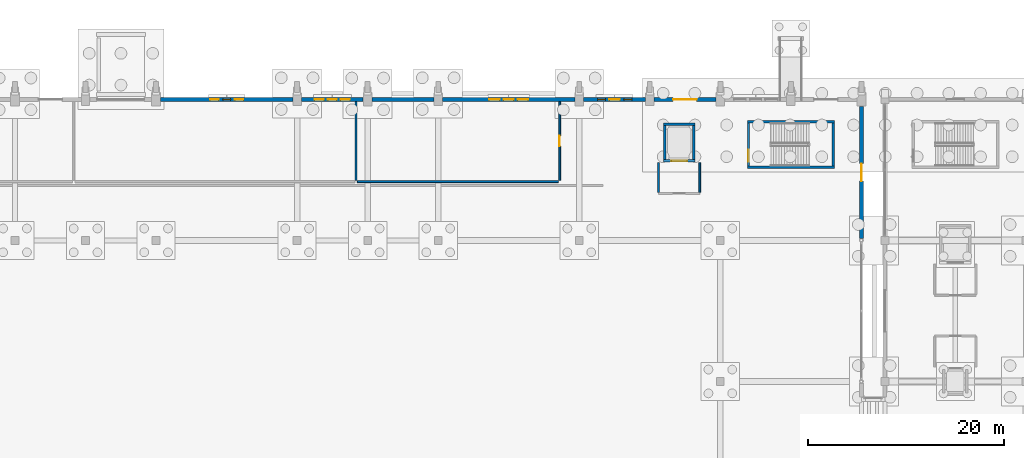
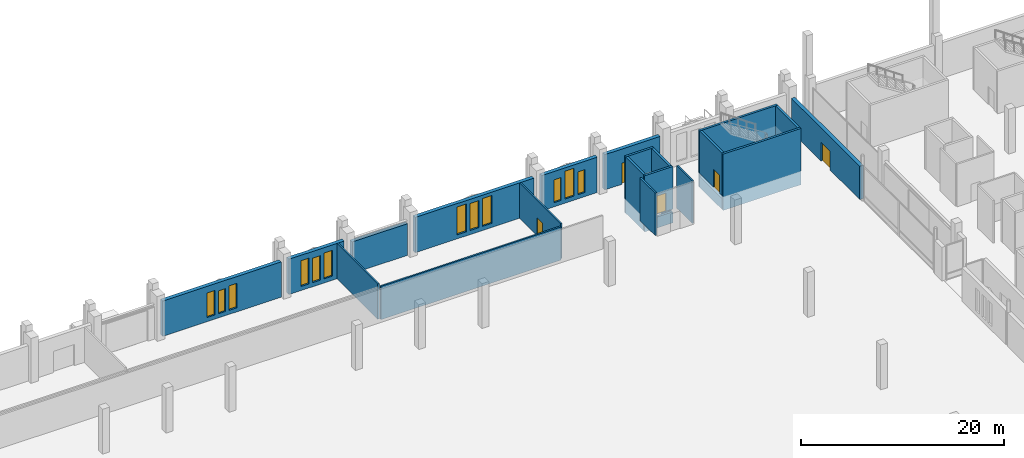
# One storey, part 151 of 192: 22 walls, 12 windows, 5 doors, 17 openings.
"""IFC4 building model written with IfcOpenShell, lengths in metres."""

from ifc_helpers import new_model, si_unit, direction, frame, frame_2d, origin, place, context, subcontext, project, spatial, rectangle, extrude, material, layer, layer_set, type_object, element, fill, save


model = new_model("IFC4")

# Units and contexts
model_context = context("Model", 3, precision=1e-05, world=origin(), true_north=direction((0.0, 1.0)))
body_context = subcontext(model_context, "Body", "Model", "MODEL_VIEW")
ifc_project = project(units=[si_unit("LENGTHUNIT", "METRE"), si_unit("AREAUNIT", "SQUARE_METRE"), si_unit("VOLUMEUNIT", "CUBIC_METRE"), si_unit("PLANEANGLEUNIT", "RADIAN"), si_unit("MASSUNIT", "GRAM", prefix="KILO")], contexts=[model_context])

# Site, building, storey
site_placement = place(None, origin())
site = spatial("IfcSite", under=ifc_project, at=site_placement, CompositionType="ELEMENT")
building_placement = place(site_placement, origin())
building = spatial("IfcBuilding", under=site, at=building_placement, Name="Cendralis Lancet Convention Centre", CompositionType="ELEMENT")
storey_placement = place(building_placement, origin())
storey = spatial("IfcBuildingStorey", under=building, at=storey_placement, Name="L00", CompositionType="ELEMENT", Elevation=0.0)

# Wall, openings, windows
ifc_material_1 = material(Name="Buff sandstone ashlar and Concrete G40 (C40/50)", Category="masonry")
ifc_layer_1 = layer(ifc_material_1, 0.419921875, Name="Buff sandstone ashlar and Concrete G40 (C40/50)")
ifc_layer_set_1 = layer_set([ifc_layer_1], Name="Buff sandstone ashlar and Concrete G40 (C40/50)")
wall_type_1 = type_object("IfcWallType", Name="ARC-EW-W420", PredefinedType="STANDARD", material=ifc_layer_set_1)
wall_1_placement = place(storey_placement, frame((50.85791015625, 136.800048828125, 0.0), z_axis=(0.0, 0.0, 1.0), x_axis=(1.0, 0.0, 0.0)))
wall_1 = element("IfcWall", 1, at=wall_1_placement, inside=storey, type_object=wall_type_1, Name="L00 V1 Exterior Wall EW-01 #0007", PredefinedType="STANDARD", context=body_context, shape_type="SweptSolid", body=[
    extrude(rectangle(XDim=13.509033203125, YDim=0.419921875, at=frame_2d((6.75439453125, 0.0))), origin(), (0.0, 0.0, 1.0), 4.2548828125),
])
opening_1_placement = place(wall_1_placement, frame((5.054443359375, 0.0, 0.5)))
opening_1 = element("IfcOpeningElement", 2, at=opening_1_placement, cuts=wall_1, Name="Opening WN-08", PredefinedType="OPENING", context=body_context, shape_type="SweptSolid", body=[
    extrude(rectangle(XDim=0.8798828125, YDim=2.949951171875, at=frame_2d((0.43994140625, 1.47509765625))), frame((0.0, 0.219970703125, 0.0), z_axis=(0.0, -1.0, 0.0), x_axis=(1.0, 0.0, 0.0)), (0.0, 0.0, 1.0), 0.43994140625),
])
opening_2_placement = place(wall_1_placement, frame((6.3544921875, 0.0, 0.5)))
opening_2 = element("IfcOpeningElement", 3, at=opening_2_placement, cuts=wall_1, Name="Opening WN-07", PredefinedType="OPENING", context=body_context, shape_type="SweptSolid", body=[
    extrude(rectangle(XDim=0.800048828125, YDim=2.75, at=frame_2d((0.39990234375, 1.375))), frame((0.0, 0.219970703125, 0.0), z_axis=(0.0, -1.0, 0.0), x_axis=(1.0, 0.0, 0.0)), (0.0, 0.0, 1.0), 0.43994140625),
])
opening_3_placement = place(wall_1_placement, frame((7.574462890625, 0.0, 0.5)))
opening_3 = element("IfcOpeningElement", 4, at=opening_3_placement, cuts=wall_1, Name="Opening WN-08", PredefinedType="OPENING", context=body_context, shape_type="SweptSolid", body=[
    extrude(rectangle(XDim=0.8798828125, YDim=2.949951171875, at=frame_2d((0.43994140625, 1.47509765625))), frame((0.0, 0.219970703125, 0.0), z_axis=(0.0, -1.0, 0.0), x_axis=(1.0, 0.0, 0.0)), (0.0, 0.0, 1.0), 0.43994140625),
])
ifc_material_2 = material(Name="Double-glazed low-E solar-control glass", Category="glass")
window_type_1 = type_object("IfcWindowType", Name="ARC-WN-LW07", PartitioningType="SINGLE_PANEL", PredefinedType="WINDOW", material=ifc_material_2)
window_1_placement = place(opening_2_placement, origin())
window_1 = element("IfcWindow", 5, at=window_1_placement, inside=storey, type_object=window_type_1, Name="Gothic Lancet Window WN-07 #0005", OverallHeight=2.75, OverallWidth=0.800048828125, PartitioningType="SINGLE_PANEL", PredefinedType="WINDOW", context=body_context, shape_type="SweptSolid", body=[
    extrude(rectangle(XDim=0.800048828125, YDim=2.75, at=frame_2d((0.39990234375, 1.375))), frame((0.0, 0.030029296875, 0.0), z_axis=(0.0, -1.0, 0.0), x_axis=(1.0, 0.0, 0.0)), (0.0, 0.0, 1.0), 0.06005859375),
])
fill(opening_2, window_1)
window_type_2 = type_object("IfcWindowType", Name="ARC-WN-LW08", PartitioningType="SINGLE_PANEL", PredefinedType="WINDOW", material=ifc_material_2)
window_2_placement = place(opening_1_placement, origin())
window_2 = element("IfcWindow", 6, at=window_2_placement, inside=storey, type_object=window_type_2, Name="Gothic Lancet Window WN-08 #0004", OverallHeight=2.949951171875, OverallWidth=0.8798828125, PartitioningType="SINGLE_PANEL", PredefinedType="WINDOW", context=body_context, shape_type="SweptSolid", body=[
    extrude(rectangle(XDim=0.8798828125, YDim=2.949951171875, at=frame_2d((0.43994140625, 1.47509765625))), frame((0.0, 0.030029296875, 0.0), z_axis=(0.0, -1.0, 0.0), x_axis=(1.0, 0.0, 0.0)), (0.0, 0.0, 1.0), 0.06005859375),
])
fill(opening_1, window_2)
window_3_placement = place(opening_3_placement, origin())
window_3 = element("IfcWindow", 7, at=window_3_placement, inside=storey, type_object=window_type_2, Name="Gothic Lancet Window WN-08 #0006", OverallHeight=2.949951171875, OverallWidth=0.8798828125, PartitioningType="SINGLE_PANEL", PredefinedType="WINDOW", context=body_context, shape_type="SweptSolid", body=[
    extrude(rectangle(XDim=0.8798828125, YDim=2.949951171875, at=frame_2d((0.43994140625, 1.47509765625))), frame((0.0, 0.030029296875, 0.0), z_axis=(0.0, -1.0, 0.0), x_axis=(1.0, 0.0, 0.0)), (0.0, 0.0, 1.0), 0.06005859375),
])
fill(opening_3, window_3)

wall_2_placement = place(storey_placement, frame((65.23291015625, 136.800048828125, 0.0), z_axis=(0.0, 0.0, 1.0), x_axis=(1.0, 0.0, 0.0)))
wall_2 = element("IfcWall", 8, at=wall_2_placement, inside=storey, type_object=wall_type_1, Name="L00 V1 Exterior Wall EW-01 #0008", PredefinedType="STANDARD", context=body_context, shape_type="SweptSolid", body=[
    extrude(rectangle(XDim=6.30908203125, YDim=0.419921875, at=frame_2d((3.154541015625, 0.0))), origin(), (0.0, 0.0, 1.0), 4.2548828125),
])
opening_4_placement = place(wall_2_placement, frame((1.3544921875, 0.0, 0.5)))
opening_4 = element("IfcOpeningElement", 9, at=opening_4_placement, cuts=wall_2, Name="Opening WN-09", PredefinedType="OPENING", context=body_context, shape_type="SweptSolid", body=[
    extrude(rectangle(XDim=0.93994140625, YDim=3.10009765625, at=frame_2d((0.469970703125, 1.550048828125))), frame((0.0, 0.219970703125, 0.0), z_axis=(0.0, -1.0, 0.0), x_axis=(1.0, 0.0, 0.0)), (0.0, 0.0, 1.0), 0.43994140625),
])
opening_5_placement = place(wall_2_placement, frame((2.714599609375, 0.0, 0.5)))
opening_5 = element("IfcOpeningElement", 10, at=opening_5_placement, cuts=wall_2, Name="Opening WN-08", PredefinedType="OPENING", context=body_context, shape_type="SweptSolid", body=[
    extrude(rectangle(XDim=0.8798828125, YDim=2.949951171875, at=frame_2d((0.43994140625, 1.47509765625))), frame((0.0, 0.219970703125, 0.0), z_axis=(0.0, -1.0, 0.0), x_axis=(1.0, 0.0, 0.0)), (0.0, 0.0, 1.0), 0.43994140625),
])
opening_6_placement = place(wall_2_placement, frame((4.014404296875, 0.0, 0.5)))
opening_6 = element("IfcOpeningElement", 11, at=opening_6_placement, cuts=wall_2, Name="Opening WN-09", PredefinedType="OPENING", context=body_context, shape_type="SweptSolid", body=[
    extrude(rectangle(XDim=0.93994140625, YDim=3.10009765625, at=frame_2d((0.469970703125, 1.550048828125))), frame((0.0, 0.219970703125, 0.0), z_axis=(0.0, -1.0, 0.0), x_axis=(1.0, 0.0, 0.0)), (0.0, 0.0, 1.0), 0.43994140625),
])
window_4_placement = place(opening_5_placement, origin())
window_4 = element("IfcWindow", 12, at=window_4_placement, inside=storey, type_object=window_type_2, Name="Gothic Lancet Window WN-08 #0008", OverallHeight=2.949951171875, OverallWidth=0.8798828125, PartitioningType="SINGLE_PANEL", PredefinedType="WINDOW", context=body_context, shape_type="SweptSolid", body=[
    extrude(rectangle(XDim=0.8798828125, YDim=2.949951171875, at=frame_2d((0.43994140625, 1.47509765625))), frame((0.0, 0.030029296875, 0.0), z_axis=(0.0, -1.0, 0.0), x_axis=(1.0, 0.0, 0.0)), (0.0, 0.0, 1.0), 0.06005859375),
])
fill(opening_5, window_4)
window_type_3 = type_object("IfcWindowType", Name="ARC-WN-LW09", PartitioningType="SINGLE_PANEL", PredefinedType="WINDOW", material=ifc_material_2)
window_5_placement = place(opening_4_placement, origin())
window_5 = element("IfcWindow", 13, at=window_5_placement, inside=storey, type_object=window_type_3, Name="Gothic Lancet Window WN-09 #0007", OverallHeight=3.10009765625, OverallWidth=0.93994140625, PartitioningType="SINGLE_PANEL", PredefinedType="WINDOW", context=body_context, shape_type="SweptSolid", body=[
    extrude(rectangle(XDim=0.93994140625, YDim=3.10009765625, at=frame_2d((0.469970703125, 1.550048828125))), frame((0.0, 0.030029296875, 0.0), z_axis=(0.0, -1.0, 0.0), x_axis=(1.0, 0.0, 0.0)), (0.0, 0.0, 1.0), 0.06005859375),
])
fill(opening_4, window_5)
window_6_placement = place(opening_6_placement, origin())
window_6 = element("IfcWindow", 14, at=window_6_placement, inside=storey, type_object=window_type_3, Name="Gothic Lancet Window WN-09 #0009", OverallHeight=3.10009765625, OverallWidth=0.93994140625, PartitioningType="SINGLE_PANEL", PredefinedType="WINDOW", context=body_context, shape_type="SweptSolid", body=[
    extrude(rectangle(XDim=0.93994140625, YDim=3.10009765625, at=frame_2d((0.469970703125, 1.550048828125))), frame((0.0, 0.030029296875, 0.0), z_axis=(0.0, -1.0, 0.0), x_axis=(1.0, 0.0, 0.0)), (0.0, 0.0, 1.0), 0.06005859375),
])
fill(opening_6, window_6)

# Wall
wall_3_placement = place(storey_placement, frame((72.4580078125, 136.800048828125, 0.0), z_axis=(0.0, 0.0, 1.0), x_axis=(1.0, 0.0, 0.0)))
element("IfcWall", 15, at=wall_3_placement, inside=storey, type_object=wall_type_1, Name="L00 V1 Exterior Wall EW-01 #0009", PredefinedType="STANDARD", context=body_context, shape_type="SweptSolid", body=[
    extrude(rectangle(XDim=6.30908203125, YDim=0.419921875, at=frame_2d((3.154541015625, 0.0))), origin(), (0.0, 0.0, 1.0), 3.81494140625),
])

# Wall, openings, windows
wall_4_placement = place(storey_placement, frame((79.633056640625, 136.800048828125, 0.0), z_axis=(0.0, 0.0, 1.0), x_axis=(1.0, 0.0, 0.0)))
wall_4 = element("IfcWall", 16, at=wall_4_placement, inside=storey, type_object=wall_type_1, Name="L00 V1 Exterior Wall EW-01 #0010", PredefinedType="STANDARD", context=body_context, shape_type="SweptSolid", body=[
    extrude(rectangle(XDim=13.509033203125, YDim=0.419921875, at=frame_2d((6.75439453125, 0.0))), origin(), (0.0, 0.0, 1.0), 4.2548828125),
])
opening_7_placement = place(wall_4_placement, frame((4.7744140625, 0.0, 0.5)))
opening_7 = element("IfcOpeningElement", 17, at=opening_7_placement, cuts=wall_4, Name="Opening WN-11", PredefinedType="OPENING", context=body_context, shape_type="SweptSolid", body=[
    extrude(rectangle(XDim=1.06005859375, YDim=3.35009765625, at=frame_2d((0.530029296875, 1.675048828125))), frame((0.0, 0.219970703125, 0.0), z_axis=(0.0, -1.0, 0.0), x_axis=(1.0, 0.0, 0.0)), (0.0, 0.0, 1.0), 0.43994140625),
])
opening_8_placement = place(wall_4_placement, frame((6.25439453125, 0.0, 0.5)))
opening_8 = element("IfcOpeningElement", 18, at=opening_8_placement, cuts=wall_4, Name="Opening WN-10", PredefinedType="OPENING", context=body_context, shape_type="SweptSolid", body=[
    extrude(rectangle(XDim=1.0, YDim=3.25, at=frame_2d((0.5, 1.625))), frame((0.0, 0.219970703125, 0.0), z_axis=(0.0, -1.0, 0.0), x_axis=(1.0, 0.0, 0.0)), (0.0, 0.0, 1.0), 0.43994140625),
])
opening_9_placement = place(wall_4_placement, frame((7.674560546875, 0.0, 0.5)))
opening_9 = element("IfcOpeningElement", 19, at=opening_9_placement, cuts=wall_4, Name="Opening WN-11", PredefinedType="OPENING", context=body_context, shape_type="SweptSolid", body=[
    extrude(rectangle(XDim=1.06005859375, YDim=3.35009765625, at=frame_2d((0.530029296875, 1.675048828125))), frame((0.0, 0.219970703125, 0.0), z_axis=(0.0, -1.0, 0.0), x_axis=(1.0, 0.0, 0.0)), (0.0, 0.0, 1.0), 0.43994140625),
])
window_type_4 = type_object("IfcWindowType", Name="ARC-WN-LW10", PartitioningType="SINGLE_PANEL", PredefinedType="WINDOW", material=ifc_material_2)
window_7_placement = place(opening_8_placement, origin())
window_7 = element("IfcWindow", 20, at=window_7_placement, inside=storey, type_object=window_type_4, Name="Gothic Lancet Window WN-10 #0011", OverallHeight=3.25, OverallWidth=1.0, PartitioningType="SINGLE_PANEL", PredefinedType="WINDOW", context=body_context, shape_type="SweptSolid", body=[
    extrude(rectangle(XDim=1.0, YDim=3.25, at=frame_2d((0.5, 1.625))), frame((0.0, 0.030029296875, 0.0), z_axis=(0.0, -1.0, 0.0), x_axis=(1.0, 0.0, 0.0)), (0.0, 0.0, 1.0), 0.06005859375),
])
fill(opening_8, window_7)
window_type_5 = type_object("IfcWindowType", Name="ARC-WN-LW11", PartitioningType="SINGLE_PANEL", PredefinedType="WINDOW", material=ifc_material_2)
window_8_placement = place(opening_7_placement, origin())
window_8 = element("IfcWindow", 21, at=window_8_placement, inside=storey, type_object=window_type_5, Name="Gothic Lancet Window WN-11 #0010", OverallHeight=3.35009765625, OverallWidth=1.06005859375, PartitioningType="SINGLE_PANEL", PredefinedType="WINDOW", context=body_context, shape_type="SweptSolid", body=[
    extrude(rectangle(XDim=1.06005859375, YDim=3.35009765625, at=frame_2d((0.530029296875, 1.675048828125))), frame((0.0, 0.030029296875, 0.0), z_axis=(0.0, -1.0, 0.0), x_axis=(1.0, 0.0, 0.0)), (0.0, 0.0, 1.0), 0.06005859375),
])
fill(opening_7, window_8)
window_9_placement = place(opening_9_placement, origin())
window_9 = element("IfcWindow", 22, at=window_9_placement, inside=storey, type_object=window_type_5, Name="Gothic Lancet Window WN-11 #0012", OverallHeight=3.35009765625, OverallWidth=1.06005859375, PartitioningType="SINGLE_PANEL", PredefinedType="WINDOW", context=body_context, shape_type="SweptSolid", body=[
    extrude(rectangle(XDim=1.06005859375, YDim=3.35009765625, at=frame_2d((0.530029296875, 1.675048828125))), frame((0.0, 0.030029296875, 0.0), z_axis=(0.0, -1.0, 0.0), x_axis=(1.0, 0.0, 0.0)), (0.0, 0.0, 1.0), 0.06005859375),
])
fill(opening_9, window_9)

wall_5_placement = place(storey_placement, frame((94.05810546875, 136.800048828125, 0.0), z_axis=(0.0, 0.0, 1.0), x_axis=(1.0, 0.0, 0.0)))
wall_5 = element("IfcWall", 23, at=wall_5_placement, inside=storey, type_object=wall_type_1, Name="L00 V1 Exterior Wall EW-01 #0011", PredefinedType="STANDARD", context=body_context, shape_type="SweptSolid", body=[
    extrude(rectangle(XDim=6.308837890625, YDim=0.419921875, at=frame_2d((3.154296875, 0.0))), origin(), (0.0, 0.0, 1.0), 4.2548828125),
])
opening_10_placement = place(wall_5_placement, frame((1.404541015625, 0.0, 0.5)))
opening_10 = element("IfcOpeningElement", 24, at=opening_10_placement, cuts=wall_5, Name="Opening WN-07", PredefinedType="OPENING", context=body_context, shape_type="SweptSolid", body=[
    extrude(rectangle(XDim=0.800048828125, YDim=2.75, at=frame_2d((0.39990234375, 1.375))), frame((0.0, 0.219970703125, 0.0), z_axis=(0.0, -1.0, 0.0), x_axis=(1.0, 0.0, 0.0)), (0.0, 0.0, 1.0), 0.43994140625),
])
opening_11_placement = place(wall_5_placement, frame((2.62451171875, 0.0, 0.5)))
opening_11 = element("IfcOpeningElement", 25, at=opening_11_placement, cuts=wall_5, Name="Opening WN-11", PredefinedType="OPENING", context=body_context, shape_type="SweptSolid", body=[
    extrude(rectangle(XDim=1.06005859375, YDim=3.35009765625, at=frame_2d((0.530029296875, 1.675048828125))), frame((0.0, 0.219970703125, 0.0), z_axis=(0.0, -1.0, 0.0), x_axis=(1.0, 0.0, 0.0)), (0.0, 0.0, 1.0), 0.43994140625),
])
opening_12_placement = place(wall_5_placement, frame((4.1044921875, 0.0, 0.5)))
opening_12 = element("IfcOpeningElement", 26, at=opening_12_placement, cuts=wall_5, Name="Opening WN-07", PredefinedType="OPENING", context=body_context, shape_type="SweptSolid", body=[
    extrude(rectangle(XDim=0.800048828125, YDim=2.75, at=frame_2d((0.39990234375, 1.375))), frame((0.0, 0.219970703125, 0.0), z_axis=(0.0, -1.0, 0.0), x_axis=(1.0, 0.0, 0.0)), (0.0, 0.0, 1.0), 0.43994140625),
])
window_10_placement = place(opening_10_placement, origin())
window_10 = element("IfcWindow", 27, at=window_10_placement, inside=storey, type_object=window_type_1, Name="Gothic Lancet Window WN-07 #0013", OverallHeight=2.75, OverallWidth=0.800048828125, PartitioningType="SINGLE_PANEL", PredefinedType="WINDOW", context=body_context, shape_type="SweptSolid", body=[
    extrude(rectangle(XDim=0.800048828125, YDim=2.75, at=frame_2d((0.39990234375, 1.375))), frame((0.0, 0.030029296875, 0.0), z_axis=(0.0, -1.0, 0.0), x_axis=(1.0, 0.0, 0.0)), (0.0, 0.0, 1.0), 0.06005859375),
])
fill(opening_10, window_10)
window_11_placement = place(opening_12_placement, origin())
window_11 = element("IfcWindow", 28, at=window_11_placement, inside=storey, type_object=window_type_1, Name="Gothic Lancet Window WN-07 #0015", OverallHeight=2.75, OverallWidth=0.800048828125, PartitioningType="SINGLE_PANEL", PredefinedType="WINDOW", context=body_context, shape_type="SweptSolid", body=[
    extrude(rectangle(XDim=0.800048828125, YDim=2.75, at=frame_2d((0.39990234375, 1.375))), frame((0.0, 0.030029296875, 0.0), z_axis=(0.0, -1.0, 0.0), x_axis=(1.0, 0.0, 0.0)), (0.0, 0.0, 1.0), 0.06005859375),
])
fill(opening_12, window_11)
window_12_placement = place(opening_11_placement, origin())
window_12 = element("IfcWindow", 29, at=window_12_placement, inside=storey, type_object=window_type_5, Name="Gothic Lancet Window WN-11 #0014", OverallHeight=3.35009765625, OverallWidth=1.06005859375, PartitioningType="SINGLE_PANEL", PredefinedType="WINDOW", context=body_context, shape_type="SweptSolid", body=[
    extrude(rectangle(XDim=1.06005859375, YDim=3.35009765625, at=frame_2d((0.530029296875, 1.675048828125))), frame((0.0, 0.030029296875, 0.0), z_axis=(0.0, -1.0, 0.0), x_axis=(1.0, 0.0, 0.0)), (0.0, 0.0, 1.0), 0.06005859375),
])
fill(opening_11, window_12)

# Wall, opening, door
wall_6_placement = place(storey_placement, frame((101.23291015625, 136.800048828125, 0.0), z_axis=(0.0, 0.0, 1.0), x_axis=(1.0, 0.0, 0.0)))
wall_6 = element("IfcWall", 30, at=wall_6_placement, inside=storey, type_object=wall_type_1, Name="L00 V1 Exterior Wall EW-01 #0012", PredefinedType="STANDARD", context=body_context, shape_type="SweptSolid", body=[
    extrude(rectangle(XDim=6.30908203125, YDim=0.419921875, at=frame_2d((3.154541015625, 0.0))), origin(), (0.0, 0.0, 1.0), 4.2548828125),
])
opening_13_placement = place(wall_6_placement, frame((1.95458984375, 0.0, 0.0)))
opening_13 = element("IfcOpeningElement", 31, at=opening_13_placement, cuts=wall_6, Name="Opening EX-D3", PredefinedType="OPENING", context=body_context, shape_type="SweptSolid", body=[
    extrude(rectangle(XDim=2.39990234375, YDim=2.550048828125, at=frame_2d((1.199951171875, 1.27490234375))), frame((0.0, 0.219970703125, 0.0), z_axis=(0.0, -1.0, 0.0), x_axis=(1.0, 0.0, 0.0)), (0.0, 0.0, 1.0), 0.43994140625),
])
ifc_material_3 = material(Name="Anodised bronze architectural aluminium", Category="aluminium")
door_type_1 = type_object("IfcDoorType", Name="ARC-DR-EX24", OperationType="NOTDEFINED", PredefinedType="DOOR", material=ifc_material_3)
door_1_placement = place(opening_13_placement, origin())
door_1 = element("IfcDoor", 32, at=door_1_placement, inside=storey, type_object=door_type_1, Name="L00-D012 Pedestrian Final Exit Door EX-12 #012", OperationType="DOUBLE_DOOR_SINGLE_SWING", OverallHeight=2.550048828125, OverallWidth=2.39990234375, PredefinedType="DOOR", context=body_context, shape_type="SweptSolid", body=[
    extrude(rectangle(XDim=2.39990234375, YDim=2.550048828125, at=frame_2d((1.199951171875, 1.27490234375))), frame((0.0, 0.02490234375, 0.0), z_axis=(0.0, -1.0, 0.0), x_axis=(1.0, 0.0, 0.0)), (0.0, 0.0, 1.0), 0.050048828125),
])
fill(opening_13, door_1)

wall_7_placement = place(storey_placement, frame((122.39990234375, 136.092041015625, 0.0), z_axis=(0.0, 0.0, 1.0), x_axis=(0.0, -1.0, 0.0)))
wall_7 = element("IfcWall", 33, at=wall_7_placement, inside=storey, type_object=wall_type_1, Name="L00 V1 Exterior Wall EW-01 #0036", PredefinedType="STANDARD", context=body_context, shape_type="SweptSolid", body=[
    extrude(rectangle(XDim=13.50634765625, YDim=0.419921875, at=frame_2d((6.753173828125, 0.0))), origin(), (0.0, 0.0, 1.0), 4.0048828125),
])
opening_14_placement = place(wall_7_placement, frame((5.85302734375, 0.0, 0.0)))
opening_14 = element("IfcOpeningElement", 34, at=opening_14_placement, cuts=wall_7, Name="Opening EX-D1", PredefinedType="OPENING", context=body_context, shape_type="SweptSolid", body=[
    extrude(rectangle(XDim=1.800048828125, YDim=2.25, at=frame_2d((0.89990234375, 1.125))), frame((0.0, 0.219970703125, 0.0), z_axis=(0.0, -1.0, 0.0), x_axis=(1.0, 0.0, 0.0)), (0.0, 0.0, 1.0), 0.43994140625),
])
door_type_2 = type_object("IfcDoorType", Name="ARC-DR-EX18", OperationType="NOTDEFINED", PredefinedType="DOOR", material=ifc_material_3)
door_2_placement = place(opening_14_placement, origin())
door_2 = element("IfcDoor", 35, at=door_2_placement, inside=storey, type_object=door_type_2, Name="L00-D026 Pedestrian Final Exit Door EX-26 #026", OperationType="DOUBLE_DOOR_SINGLE_SWING", OverallHeight=2.25, OverallWidth=1.800048828125, PredefinedType="DOOR", context=body_context, shape_type="SweptSolid", body=[
    extrude(rectangle(XDim=1.800048828125, YDim=2.25, at=frame_2d((0.89990234375, 1.125))), frame((0.0, 0.02490234375, 0.0), z_axis=(0.0, -1.0, 0.0), x_axis=(1.0, 0.0, 0.0)), (0.0, 0.0, 1.0), 0.050048828125),
])
fill(opening_14, door_2)

# Walls
ifc_material_4 = material(Name="Acoustic fire-rated gypsum board on steel studs", Category="steel")
ifc_layer_2 = layer(ifc_material_4, 0.179931640625, Name="Acoustic fire-rated gypsum board on steel studs")
ifc_layer_set_2 = layer_set([ifc_layer_2], Name="Acoustic fire-rated gypsum board on steel studs")
wall_type_2 = type_object("IfcWallType", Name="ARC-IW-P180", PredefinedType="PARTITIONING", material=ifc_layer_set_2)
for number, where, z_axis, x_axis, name in (
    (36, (101.699951171875, 127.300048828125, 0.0), (0.0, 0.0, 1.0), (0.0, 1.0, 0.0), "L00 Lift Lobby LG-01 West Wall"),
    (37, (105.89990234375, 127.300048828125, 0.0), (0.0, 0.0, 1.0), (0.0, 1.0, 0.0), "L00 Lift Lobby LG-01 East Wall"),
):
    element("IfcWall", number, at=place(storey_placement, frame(where, z_axis=z_axis, x_axis=x_axis)), inside=storey, type_object=wall_type_2, Name=name, PredefinedType="PARTITIONING", context=body_context, shape_type="SweptSolid", body=[
        extrude(rectangle(XDim=3.050048828125, YDim=0.179931640625, at=frame_2d((1.52490234375, 0.0))), origin(), (0.0, 0.0, 1.0), 5.1201171875),
    ])
wall_8_placement = place(storey_placement, frame((70.800048828125, 128.5400390625, 0.0), z_axis=(0.0, 0.0, 1.0), x_axis=(0.0, 1.0, 0.0)))
element("IfcWall", 38, at=wall_8_placement, inside=storey, type_object=wall_type_2, Name="L00 Interior Partition IW-02 #0007", PredefinedType="PARTITIONING", context=body_context, shape_type="SweptSolid", body=[
    extrude(rectangle(XDim=8.030029296875, YDim=0.179931640625, at=frame_2d((4.01513671875, 0.0))), origin(), (0.0, 0.0, 1.0), 4.2548828125),
])
wall_9_placement = place(storey_placement, frame((70.93994140625, 128.39990234375, 0.0), z_axis=(0.0, 0.0, 1.0), x_axis=(1.0, 0.0, 0.0)))
element("IfcWall", 39, at=wall_9_placement, inside=storey, type_object=wall_type_2, Name="L00 Interior Partition IW-02 #0008", PredefinedType="PARTITIONING", context=body_context, shape_type="SweptSolid", body=[
    extrude(rectangle(XDim=20.52001953125, YDim=0.179931640625, at=frame_2d((10.260009765625, 0.0))), origin(), (0.0, 0.0, 1.0), 4.0048828125),
])

# Wall, opening, door
wall_10_placement = place(storey_placement, frame((91.60009765625, 128.5400390625, 0.0), z_axis=(0.0, 0.0, 1.0), x_axis=(0.0, 1.0, 0.0)))
wall_10 = element("IfcWall", 40, at=wall_10_placement, inside=storey, type_object=wall_type_2, Name="L00 Interior Partition IW-02 #0009", PredefinedType="PARTITIONING", context=body_context, shape_type="SweptSolid", body=[
    extrude(rectangle(XDim=8.030029296875, YDim=0.179931640625, at=frame_2d((4.01513671875, 0.0))), origin(), (0.0, 0.0, 1.0), 4.2548828125),
])
opening_15_placement = place(wall_10_placement, frame((3.465087890625, 0.0, 0.0)))
opening_15 = element("IfcOpeningElement", 41, at=opening_15_placement, cuts=wall_10, Name="Opening FD-11", PredefinedType="OPENING", context=body_context, shape_type="SweptSolid", body=[
    extrude(rectangle(XDim=1.10009765625, YDim=2.14990234375, at=frame_2d((0.550048828125, 1.074951171875))), frame((0.0, 0.099853515625, 0.0), z_axis=(0.0, -1.0, 0.0), x_axis=(1.0, 0.0, 0.0)), (0.0, 0.0, 1.0), 0.199951171875),
])
ifc_material_5 = material(Name="Steel S355", Category="steel")
door_type_3 = type_object("IfcDoorType", Name="ARC-DR-FF11", OperationType="NOTDEFINED", PredefinedType="DOOR", material=ifc_material_5)
door_3_placement = place(opening_15_placement, origin())
door_3 = element("IfcDoor", 42, at=door_3_placement, inside=storey, type_object=door_type_3, Name="L00-D052 L00 Interior Door FD-11 #0002", OperationType="SINGLE_SWING_RIGHT", OverallHeight=2.14990234375, OverallWidth=1.10009765625, PredefinedType="DOOR", context=body_context, shape_type="SweptSolid", body=[
    extrude(rectangle(XDim=1.10009765625, YDim=2.14990234375, at=frame_2d((0.550048828125, 1.074951171875))), frame((0.0, 0.02490234375, 0.0), z_axis=(0.0, -1.0, 0.0), x_axis=(1.0, 0.0, 0.0)), (0.0, 0.0, 1.0), 0.050048828125),
])
fill(opening_15, door_3)

# Wall
ifc_material_6 = material(Name="Concrete G40 (C40/50)", Category="concrete")
ifc_layer_3 = layer(ifc_material_6, 0.25, Name="Concrete G40 (C40/50)")
ifc_layer_set_3 = layer_set([ifc_layer_3], Name="Concrete G40 (C40/50)")
wall_type_3 = type_object("IfcWallType", Name="STR-SW-CW250", PredefinedType="SHEAR", material=ifc_layer_set_3)
wall_11_placement = place(storey_placement, frame((110.875, 130.0, -1.64990234375), z_axis=(0.0, 0.0, 1.0), x_axis=(0.0, 1.0, 0.0)))
element("IfcWall", 43, at=wall_11_placement, inside=storey, type_object=wall_type_3, Name="L00 Stair Core ST-04 West Base Stem", PredefinedType="SHEAR", context=body_context, shape_type="SweptSolid", body=[
    extrude(rectangle(XDim=4.3798828125, YDim=0.25, at=frame_2d((2.18994140625, 0.0))), origin(), (0.0, 0.0, 1.0), 1.309814453125),
])

# Wall, opening, door
wall_12_placement = place(storey_placement, frame((110.875, 130.0, 0.0), z_axis=(0.0, 0.0, 1.0), x_axis=(0.0, 1.0, 0.0)))
wall_12 = element("IfcWall", 44, at=wall_12_placement, inside=storey, type_object=wall_type_3, Name="L00 Stair Core ST-04 West Shear Wall", PredefinedType="SHEAR", context=body_context, shape_type="SweptSolid", body=[
    extrude(rectangle(XDim=4.3798828125, YDim=0.25, at=frame_2d((2.18994140625, 0.0))), origin(), (0.0, 0.0, 1.0), 5.1201171875),
])
opening_16_placement = place(wall_12_placement, frame((0.449951171875, 0.0, 0.0)))
opening_16 = element("IfcOpeningElement", 45, at=opening_16_placement, cuts=wall_12, Name="Opening SD-12", PredefinedType="OPENING", context=body_context, shape_type="SweptSolid", body=[
    extrude(rectangle(XDim=1.199951171875, YDim=2.14990234375, at=frame_2d((0.60009765625, 1.074951171875))), frame((0.0, 0.135009765625, 0.0), z_axis=(0.0, -1.0, 0.0), x_axis=(1.0, 0.0, 0.0)), (0.0, 0.0, 1.0), 0.27001953125),
])
door_type_4 = type_object("IfcDoorType", Name="ARC-DR-ST12", OperationType="NOTDEFINED", PredefinedType="DOOR", material=ifc_material_5)
door_4_placement = place(opening_16_placement, origin())
door_4 = element("IfcDoor", 46, at=door_4_placement, inside=storey, type_object=door_type_4, Name="L00-D121 L00 Exit Stair ST-04 Fire Door", OperationType="SINGLE_SWING_RIGHT", OverallHeight=2.14990234375, OverallWidth=1.199951171875, PredefinedType="DOOR", context=body_context, shape_type="SweptSolid", body=[
    extrude(rectangle(XDim=1.199951171875, YDim=2.14990234375, at=frame_2d((0.60009765625, 1.074951171875))), frame((0.0, 0.02490234375, 0.0), z_axis=(0.0, -1.0, 0.0), x_axis=(1.0, 0.0, 0.0)), (0.0, 0.0, 1.0), 0.050048828125),
])
fill(opening_16, door_4)

# Walls
wall_13_placement = place(storey_placement, frame((119.52490234375, 130.0, -1.64990234375), z_axis=(0.0, 0.0, 1.0), x_axis=(0.0, 1.0, 0.0)))
element("IfcWall", 47, at=wall_13_placement, inside=storey, type_object=wall_type_3, Name="L00 Stair Core ST-04 East Shear Wall", PredefinedType="SHEAR", context=body_context, shape_type="SweptSolid", body=[
    extrude(rectangle(XDim=4.3798828125, YDim=0.25, at=frame_2d((2.18994140625, 0.0))), origin(), (0.0, 0.0, 1.0), 6.77001953125),
])
for number, where, z_axis, x_axis, name in (
    (48, (110.75, 129.875, -1.64990234375), (0.0, 0.0, 1.0), (1.0, 0.0, 0.0), "L00 Stair Core ST-04 South Shear Wall"),
    (49, (110.75, 134.5048828125, -1.64990234375), (0.0, 0.0, 1.0), (1.0, 0.0, 0.0), "L00 Stair Core ST-04 North Shear Wall"),
):
    element("IfcWall", number, at=place(storey_placement, frame(where, z_axis=z_axis, x_axis=x_axis)), inside=storey, type_object=wall_type_3, Name=name, PredefinedType="SHEAR", context=body_context, shape_type="SweptSolid", body=[
        extrude(rectangle(XDim=8.89990234375, YDim=0.25, at=frame_2d((4.449951171875, 0.0))), origin(), (0.0, 0.0, 1.0), 6.77001953125),
    ])
wall_14_placement = place(storey_placement, frame((102.199951171875, 130.52490234375, -1.64990234375), z_axis=(0.0, 0.0, 1.0), x_axis=(1.0, 0.0, 0.0)))
element("IfcWall", 50, at=wall_14_placement, inside=storey, type_object=wall_type_3, Name="L00 Lift LG-01 Base Stem", PredefinedType="SHEAR", context=body_context, shape_type="SweptSolid", body=[
    extrude(rectangle(XDim=3.199951171875, YDim=0.25, at=frame_2d((1.60009765625, 0.0))), origin(), (0.0, 0.0, 1.0), 1.309814453125),
])

# Wall, opening, door
wall_15_placement = place(storey_placement, frame((102.199951171875, 130.52490234375, 0.0), z_axis=(0.0, 0.0, 1.0), x_axis=(1.0, 0.0, 0.0)))
wall_15 = element("IfcWall", 51, at=wall_15_placement, inside=storey, type_object=wall_type_3, Name="L00 Lift LG-01 South Shaft Wall", PredefinedType="SHEAR", context=body_context, shape_type="SweptSolid", body=[
    extrude(rectangle(XDim=3.199951171875, YDim=0.25, at=frame_2d((1.60009765625, 0.0))), origin(), (0.0, 0.0, 1.0), 5.1201171875),
])
opening_17_placement = place(wall_15_placement, frame((0.800048828125, 0.0, 0.0)))
opening_17 = element("IfcOpeningElement", 52, at=opening_17_placement, cuts=wall_15, Name="Opening LD-16", PredefinedType="OPENING", context=body_context, shape_type="SweptSolid", body=[
    extrude(rectangle(XDim=1.60009765625, YDim=2.199951171875, at=frame_2d((0.800048828125, 1.10009765625))), frame((0.0, 0.135009765625, 0.0), z_axis=(0.0, -1.0, 0.0), x_axis=(1.0, 0.0, 0.0)), (0.0, 0.0, 1.0), 0.27001953125),
])
door_type_5 = type_object("IfcDoorType", Name="ARC-DR-LD16", OperationType="NOTDEFINED", PredefinedType="DOOR", material=ifc_material_5)
door_5_placement = place(opening_17_placement, origin())
door_5 = element("IfcDoor", 53, at=door_5_placement, inside=storey, type_object=door_type_5, Name="L00-D092 L00 Lift LG-01 Sliding Landing Door", OperationType="SLIDING_TO_RIGHT", OverallHeight=2.199951171875, OverallWidth=1.60009765625, PredefinedType="DOOR", context=body_context, shape_type="SweptSolid", body=[
    extrude(rectangle(XDim=1.60009765625, YDim=2.199951171875, at=frame_2d((0.800048828125, 1.10009765625))), frame((0.0, 0.02490234375, 0.0), z_axis=(0.0, -1.0, 0.0), x_axis=(1.0, 0.0, 0.0)), (0.0, 0.0, 1.0), 0.050048828125),
])
fill(opening_17, door_5)

# Walls
wall_16_placement = place(storey_placement, frame((102.199951171875, 134.27490234375, -1.64990234375), z_axis=(0.0, 0.0, 1.0), x_axis=(1.0, 0.0, 0.0)))
element("IfcWall", 54, at=wall_16_placement, inside=storey, type_object=wall_type_3, Name="L00 Lift LG-01 North Shaft Wall", PredefinedType="SHEAR", context=body_context, shape_type="SweptSolid", body=[
    extrude(rectangle(XDim=3.199951171875, YDim=0.25, at=frame_2d((1.60009765625, 0.0))), origin(), (0.0, 0.0, 1.0), 6.77001953125),
])
for number, where, z_axis, x_axis, name in (
    (55, (102.324951171875, 130.64990234375, -1.64990234375), (0.0, 0.0, 1.0), (0.0, 1.0, 0.0), "L00 Lift LG-01 West Shaft Wall"),
    (56, (105.27490234375, 130.64990234375, -1.64990234375), (0.0, 0.0, 1.0), (0.0, 1.0, 0.0), "L00 Lift LG-01 East Shaft Wall"),
):
    element("IfcWall", number, at=place(storey_placement, frame(where, z_axis=z_axis, x_axis=x_axis)), inside=storey, type_object=wall_type_3, Name=name, PredefinedType="SHEAR", context=body_context, shape_type="SweptSolid", body=[
        extrude(rectangle(XDim=3.5, YDim=0.25, at=frame_2d((1.75, 0.0))), origin(), (0.0, 0.0, 1.0), 6.77001953125),
    ])

save(model, "model.ifc")
